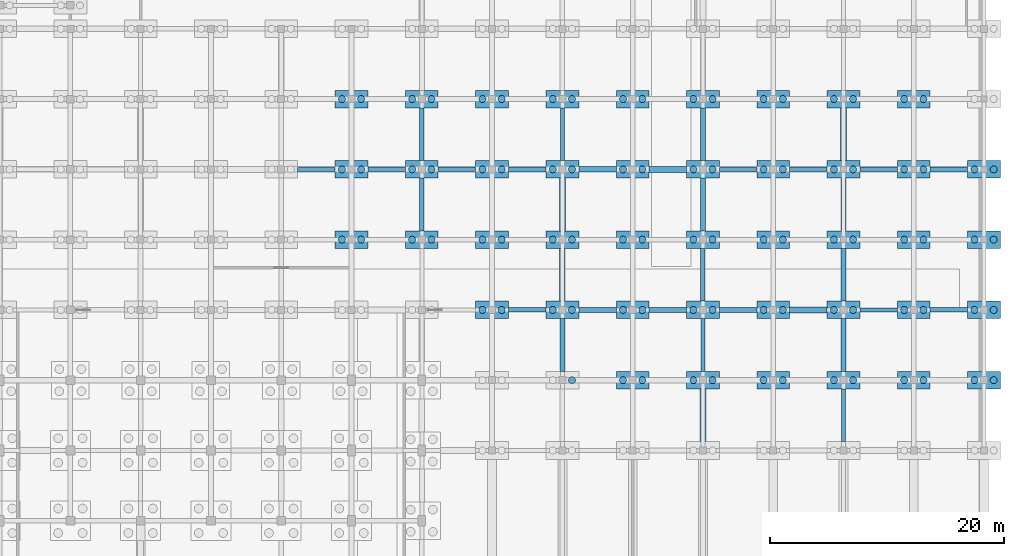
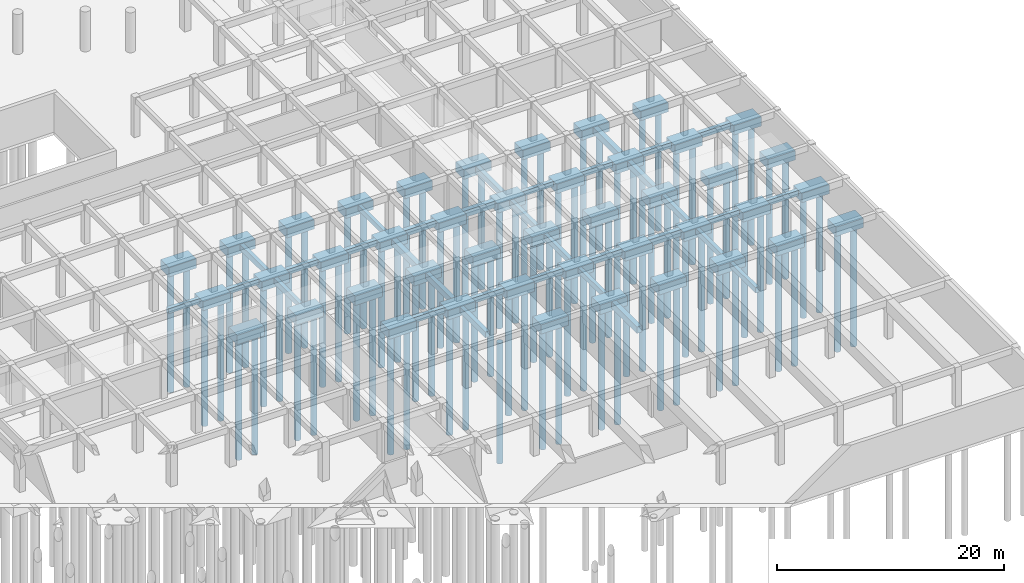
# One storey, part 11 of 41: 87 piles, 76 footings.
"""IFC4 building model written with IfcOpenShell, lengths in metres."""

from ifc_helpers import new_model, si_unit, direction, frame, origin, origin_2d, place, context, subcontext, project, spatial, polyline, rectangle, circle, outline, extrude, material, material_profile, profile_set, type_object, element, save


model = new_model("IFC4")

# Units and contexts
model_context = context("Model", 3, precision=1e-05, world=origin(), true_north=direction((0.0, 1.0)))
body_context = subcontext(model_context, "Body", "Model", "MODEL_VIEW")
ifc_project = project(units=[si_unit("LENGTHUNIT", "METRE"), si_unit("AREAUNIT", "SQUARE_METRE"), si_unit("VOLUMEUNIT", "CUBIC_METRE"), si_unit("PLANEANGLEUNIT", "RADIAN"), si_unit("MASSUNIT", "GRAM", prefix="KILO"), si_unit("POWERUNIT", "WATT"), si_unit("THERMODYNAMICTEMPERATUREUNIT", "KELVIN")], contexts=[model_context])

# Site, building, storey
site_placement = place(None, origin())
site = spatial("IfcSite", under=ifc_project, at=site_placement, CompositionType="ELEMENT")
building_placement = place(site_placement, origin())
building = spatial("IfcBuilding", under=site, at=building_placement, Name="Ruvembo Vaulted Housing Court", CompositionType="ELEMENT")
storey_placement = place(building_placement, frame((0.0, 0.0, -4.5)))
storey = spatial("IfcBuildingStorey", under=building, at=storey_placement, Name="B1", CompositionType="ELEMENT", Elevation=-4.5)

# Footings
ifc_material_1 = material(Name="Concrete C30/37", Category="concrete")
footing_type_1 = type_object("IfcFootingType", Name="GB-350x550", PredefinedType="FOOTING_BEAM", material=ifc_material_1)
footing_1_placement = place(storey_placement, frame((0.0, 0.0, -0.85009765625)))
element("IfcFooting", 1, at=footing_1_placement, inside=storey, type_object=footing_type_1, Name="Ground Tie Beam GB-084", PredefinedType="FOOTING_BEAM", context=body_context, shape_type="SweptSolid", body=[
    extrude(outline(polyline([(175.39990234375, 41.824951171875), (178.60009765625, 41.824951171875), (178.60009765625, 42.175048828125), (175.39990234375, 42.175048828125), (175.39990234375, 41.824951171875)])), origin(), (0.0, 0.0, 1.0), 0.550048828125),
])
footing_2_placement = place(storey_placement, frame((0.0, 0.0, -0.85009765625)))
element("IfcFooting", 2, at=footing_2_placement, inside=storey, type_object=footing_type_1, Name="Ground Tie Beam GB-102", PredefinedType="FOOTING_BEAM", context=body_context, shape_type="SweptSolid", body=[
    extrude(outline(polyline([(127.39990234375, 53.824951171875), (130.60009765625, 53.824951171875), (130.60009765625, 54.175048828125), (127.39990234375, 54.175048828125), (127.39990234375, 53.824951171875)])), origin(), (0.0, 0.0, 1.0), 0.550048828125),
])
footing_3_placement = place(storey_placement, frame((0.0, 0.0, -0.85009765625)))
element("IfcFooting", 3, at=footing_3_placement, inside=storey, type_object=footing_type_1, Name="Ground Tie Beam GB-108", PredefinedType="FOOTING_BEAM", context=body_context, shape_type="SweptSolid", body=[
    extrude(outline(polyline([(163.39990234375, 53.824951171875), (166.60009765625, 53.824951171875), (166.60009765625, 54.175048828125), (163.39990234375, 54.175048828125), (163.39990234375, 53.824951171875)])), origin(), (0.0, 0.0, 1.0), 0.550048828125),
])
footing_4_placement = place(storey_placement, frame((0.0, 0.0, -0.85009765625)))
element("IfcFooting", 4, at=footing_4_placement, inside=storey, type_object=footing_type_1, Name="Ground Tie Beam GB-312", PredefinedType="FOOTING_BEAM", context=body_context, shape_type="SweptSolid", body=[
    extrude(outline(polyline([(149.824951171875, 54.75), (150.175048828125, 54.75), (150.175048828125, 59.25), (149.824951171875, 59.25), (149.824951171875, 54.75)])), origin(), (0.0, 0.0, 1.0), 0.550048828125),
])
footing_5_placement = place(storey_placement, frame((0.0, 0.0, -0.85009765625)))
element("IfcFooting", 5, at=footing_5_placement, inside=storey, type_object=footing_type_1, Name="Ground Tie Beam GB-324", PredefinedType="FOOTING_BEAM", context=body_context, shape_type="SweptSolid", body=[
    extrude(outline(polyline([(161.824951171875, 36.75), (162.175048828125, 36.75), (162.175048828125, 41.25), (161.824951171875, 41.25), (161.824951171875, 36.75)])), origin(), (0.0, 0.0, 1.0), 0.550048828125),
])
footing_type_2 = type_object("IfcFootingType", Name="GB-380x580", PredefinedType="FOOTING_BEAM", material=ifc_material_1)
footing_6_placement = place(storey_placement, frame((0.0, 0.0, -0.8798828125)))
element("IfcFooting", 6, at=footing_6_placement, inside=storey, type_object=footing_type_2, Name="Ground Tie Beam GB-079", PredefinedType="FOOTING_BEAM", context=body_context, shape_type="SweptSolid", body=[
    extrude(outline(polyline([(145.39990234375, 41.81005859375), (148.60009765625, 41.81005859375), (148.60009765625, 42.18994140625), (145.39990234375, 42.18994140625), (145.39990234375, 41.81005859375)])), origin(), (0.0, 0.0, 1.0), 0.579833984375),
])
footing_7_placement = place(storey_placement, frame((0.0, 0.0, -0.8798828125)))
element("IfcFooting", 7, at=footing_7_placement, inside=storey, type_object=footing_type_2, Name="Ground Tie Beam GB-085", PredefinedType="FOOTING_BEAM", context=body_context, shape_type="SweptSolid", body=[
    extrude(outline(polyline([(181.39990234375, 41.81005859375), (184.60009765625, 41.81005859375), (184.60009765625, 42.18994140625), (181.39990234375, 42.18994140625), (181.39990234375, 41.81005859375)])), origin(), (0.0, 0.0, 1.0), 0.579833984375),
])
footing_8_placement = place(storey_placement, frame((0.0, 0.0, -0.8798828125)))
element("IfcFooting", 8, at=footing_8_placement, inside=storey, type_object=footing_type_2, Name="Ground Tie Beam GB-103", PredefinedType="FOOTING_BEAM", context=body_context, shape_type="SweptSolid", body=[
    extrude(outline(polyline([(133.39990234375, 53.81005859375), (136.60009765625, 53.81005859375), (136.60009765625, 54.18994140625), (133.39990234375, 54.18994140625), (133.39990234375, 53.81005859375)])), origin(), (0.0, 0.0, 1.0), 0.579833984375),
])
footing_9_placement = place(storey_placement, frame((0.0, 0.0, -0.8798828125)))
element("IfcFooting", 9, at=footing_9_placement, inside=storey, type_object=footing_type_2, Name="Ground Tie Beam GB-109", PredefinedType="FOOTING_BEAM", context=body_context, shape_type="SweptSolid", body=[
    extrude(outline(polyline([(169.39990234375, 53.81005859375), (172.60009765625, 53.81005859375), (172.60009765625, 54.18994140625), (169.39990234375, 54.18994140625), (169.39990234375, 53.81005859375)])), origin(), (0.0, 0.0, 1.0), 0.579833984375),
])
footing_10_placement = place(storey_placement, frame((0.0, 0.0, -0.8798828125)))
element("IfcFooting", 10, at=footing_10_placement, inside=storey, type_object=footing_type_2, Name="Ground Tie Beam GB-301", PredefinedType="FOOTING_BEAM", context=body_context, shape_type="SweptSolid", body=[
    extrude(outline(polyline([(137.81005859375, 48.75), (138.18994140625, 48.75), (138.18994140625, 53.25), (137.81005859375, 53.25), (137.81005859375, 48.75)])), origin(), (0.0, 0.0, 1.0), 0.579833984375),
])
footing_11_placement = place(storey_placement, frame((0.0, 0.0, -0.8798828125)))
element("IfcFooting", 11, at=footing_11_placement, inside=storey, type_object=footing_type_2, Name="Ground Tie Beam GB-325", PredefinedType="FOOTING_BEAM", context=body_context, shape_type="SweptSolid", body=[
    extrude(outline(polyline([(161.81005859375, 42.75), (162.18994140625, 42.75), (162.18994140625, 47.25), (161.81005859375, 47.25), (161.81005859375, 42.75)])), origin(), (0.0, 0.0, 1.0), 0.579833984375),
])
footing_12_placement = place(storey_placement, frame((0.0, 0.0, -0.8798828125)))
element("IfcFooting", 12, at=footing_12_placement, inside=storey, type_object=footing_type_2, Name="Ground Tie Beam GB-337", PredefinedType="FOOTING_BEAM", context=body_context, shape_type="SweptSolid", body=[
    extrude(outline(polyline([(173.81005859375, 30.75), (174.18994140625, 30.75), (174.18994140625, 35.25), (173.81005859375, 35.25), (173.81005859375, 30.75)])), origin(), (0.0, 0.0, 1.0), 0.579833984375),
])
footing_type_3 = type_object("IfcFootingType", Name="GB-400x600", PredefinedType="FOOTING_BEAM", material=ifc_material_1)
footing_13_placement = place(storey_placement, frame((0.0, 0.0, -0.89990234375)))
element("IfcFooting", 13, at=footing_13_placement, inside=storey, type_object=footing_type_3, Name="Ground Tie Beam GB-080", PredefinedType="FOOTING_BEAM", context=body_context, shape_type="SweptSolid", body=[
    extrude(outline(polyline([(151.39990234375, 41.800048828125), (154.60009765625, 41.800048828125), (154.60009765625, 42.199951171875), (151.39990234375, 42.199951171875), (151.39990234375, 41.800048828125)])), origin(), (0.0, 0.0, 1.0), 0.599853515625),
])
footing_14_placement = place(storey_placement, frame((0.0, 0.0, -0.89990234375)))
element("IfcFooting", 14, at=footing_14_placement, inside=storey, type_object=footing_type_3, Name="Ground Tie Beam GB-104", PredefinedType="FOOTING_BEAM", context=body_context, shape_type="SweptSolid", body=[
    extrude(outline(polyline([(139.39990234375, 53.800048828125), (142.60009765625, 53.800048828125), (142.60009765625, 54.199951171875), (139.39990234375, 54.199951171875), (139.39990234375, 53.800048828125)])), origin(), (0.0, 0.0, 1.0), 0.599853515625),
])
footing_15_placement = place(storey_placement, frame((0.0, 0.0, -0.89990234375)))
element("IfcFooting", 15, at=footing_15_placement, inside=storey, type_object=footing_type_3, Name="Ground Tie Beam GB-110", PredefinedType="FOOTING_BEAM", context=body_context, shape_type="SweptSolid", body=[
    extrude(outline(polyline([(175.39990234375, 53.800048828125), (178.60009765625, 53.800048828125), (178.60009765625, 54.199951171875), (175.39990234375, 54.199951171875), (175.39990234375, 53.800048828125)])), origin(), (0.0, 0.0, 1.0), 0.599853515625),
])
footing_16_placement = place(storey_placement, frame((0.0, 0.0, -0.89990234375)))
element("IfcFooting", 16, at=footing_16_placement, inside=storey, type_object=footing_type_3, Name="Ground Tie Beam GB-302", PredefinedType="FOOTING_BEAM", context=body_context, shape_type="SweptSolid", body=[
    extrude(outline(polyline([(137.800048828125, 54.75), (138.199951171875, 54.75), (138.199951171875, 59.25), (137.800048828125, 59.25), (137.800048828125, 54.75)])), origin(), (0.0, 0.0, 1.0), 0.599853515625),
])
footing_17_placement = place(storey_placement, frame((0.0, 0.0, -0.89990234375)))
element("IfcFooting", 17, at=footing_17_placement, inside=storey, type_object=footing_type_3, Name="Ground Tie Beam GB-326", PredefinedType="FOOTING_BEAM", context=body_context, shape_type="SweptSolid", body=[
    extrude(outline(polyline([(161.800048828125, 48.75), (162.199951171875, 48.75), (162.199951171875, 53.25), (161.800048828125, 53.25), (161.800048828125, 48.75)])), origin(), (0.0, 0.0, 1.0), 0.599853515625),
])
footing_18_placement = place(storey_placement, frame((0.0, 0.0, -0.89990234375)))
element("IfcFooting", 18, at=footing_18_placement, inside=storey, type_object=footing_type_3, Name="Ground Tie Beam GB-338", PredefinedType="FOOTING_BEAM", context=body_context, shape_type="SweptSolid", body=[
    extrude(outline(polyline([(173.800048828125, 36.75), (174.199951171875, 36.75), (174.199951171875, 41.25), (173.800048828125, 41.25), (173.800048828125, 36.75)])), origin(), (0.0, 0.0, 1.0), 0.599853515625),
])
footing_type_4 = type_object("IfcFootingType", Name="GB-420x620", PredefinedType="FOOTING_BEAM", material=ifc_material_1)
footing_19_placement = place(storey_placement, frame((0.0, 0.0, -0.919921875)))
element("IfcFooting", 19, at=footing_19_placement, inside=storey, type_object=footing_type_4, Name="Ground Tie Beam GB-081", PredefinedType="FOOTING_BEAM", context=body_context, shape_type="SweptSolid", body=[
    extrude(outline(polyline([(157.39990234375, 41.7900390625), (160.60009765625, 41.7900390625), (160.60009765625, 42.2099609375), (157.39990234375, 42.2099609375), (157.39990234375, 41.7900390625)])), origin(), (0.0, 0.0, 1.0), 0.619873046875),
])
footing_20_placement = place(storey_placement, frame((0.0, 0.0, -0.919921875)))
element("IfcFooting", 20, at=footing_20_placement, inside=storey, type_object=footing_type_4, Name="Ground Tie Beam GB-105", PredefinedType="FOOTING_BEAM", context=body_context, shape_type="SweptSolid", body=[
    extrude(outline(polyline([(145.39990234375, 53.7900390625), (148.60009765625, 53.7900390625), (148.60009765625, 54.2099609375), (145.39990234375, 54.2099609375), (145.39990234375, 53.7900390625)])), origin(), (0.0, 0.0, 1.0), 0.619873046875),
])
footing_21_placement = place(storey_placement, frame((0.0, 0.0, -0.919921875)))
element("IfcFooting", 21, at=footing_21_placement, inside=storey, type_object=footing_type_4, Name="Ground Tie Beam GB-111", PredefinedType="FOOTING_BEAM", context=body_context, shape_type="SweptSolid", body=[
    extrude(outline(polyline([(181.39990234375, 53.7900390625), (184.60009765625, 53.7900390625), (184.60009765625, 54.2099609375), (181.39990234375, 54.2099609375), (181.39990234375, 53.7900390625)])), origin(), (0.0, 0.0, 1.0), 0.619873046875),
])
footing_22_placement = place(storey_placement, frame((0.0, 0.0, -0.919921875)))
element("IfcFooting", 22, at=footing_22_placement, inside=storey, type_object=footing_type_4, Name="Ground Tie Beam GB-309", PredefinedType="FOOTING_BEAM", context=body_context, shape_type="SweptSolid", body=[
    extrude(outline(polyline([(149.7900390625, 36.75), (150.2099609375, 36.75), (150.2099609375, 41.25), (149.7900390625, 41.25), (149.7900390625, 36.75)])), origin(), (0.0, 0.0, 1.0), 0.619873046875),
])
footing_23_placement = place(storey_placement, frame((0.0, 0.0, -0.919921875)))
element("IfcFooting", 23, at=footing_23_placement, inside=storey, type_object=footing_type_4, Name="Ground Tie Beam GB-327", PredefinedType="FOOTING_BEAM", context=body_context, shape_type="SweptSolid", body=[
    extrude(outline(polyline([(161.7900390625, 54.75), (162.2099609375, 54.75), (162.2099609375, 59.25), (161.7900390625, 59.25), (161.7900390625, 54.75)])), origin(), (0.0, 0.0, 1.0), 0.619873046875),
])
footing_24_placement = place(storey_placement, frame((0.0, 0.0, -0.919921875)))
element("IfcFooting", 24, at=footing_24_placement, inside=storey, type_object=footing_type_4, Name="Ground Tie Beam GB-339", PredefinedType="FOOTING_BEAM", context=body_context, shape_type="SweptSolid", body=[
    extrude(outline(polyline([(173.7900390625, 42.75), (174.2099609375, 42.75), (174.2099609375, 47.25), (173.7900390625, 47.25), (173.7900390625, 42.75)])), origin(), (0.0, 0.0, 1.0), 0.619873046875),
])
footing_type_5 = type_object("IfcFootingType", Name="GB-450x650", PredefinedType="FOOTING_BEAM", material=ifc_material_1)
footing_25_placement = place(storey_placement, frame((0.0, 0.0, -0.949951171875)))
element("IfcFooting", 25, at=footing_25_placement, inside=storey, type_object=footing_type_5, Name="Ground Tie Beam GB-082", PredefinedType="FOOTING_BEAM", context=body_context, shape_type="SweptSolid", body=[
    extrude(outline(polyline([(163.39990234375, 41.77490234375), (166.60009765625, 41.77490234375), (166.60009765625, 42.22509765625), (163.39990234375, 42.22509765625), (163.39990234375, 41.77490234375)])), origin(), (0.0, 0.0, 1.0), 0.64990234375),
])
footing_26_placement = place(storey_placement, frame((0.0, 0.0, -0.949951171875)))
element("IfcFooting", 26, at=footing_26_placement, inside=storey, type_object=footing_type_5, Name="Ground Tie Beam GB-106", PredefinedType="FOOTING_BEAM", context=body_context, shape_type="SweptSolid", body=[
    extrude(outline(polyline([(151.39990234375, 53.77490234375), (154.60009765625, 53.77490234375), (154.60009765625, 54.22509765625), (151.39990234375, 54.22509765625), (151.39990234375, 53.77490234375)])), origin(), (0.0, 0.0, 1.0), 0.64990234375),
])
footing_27_placement = place(storey_placement, frame((0.0, 0.0, -0.949951171875)))
element("IfcFooting", 27, at=footing_27_placement, inside=storey, type_object=footing_type_5, Name="Ground Tie Beam GB-310", PredefinedType="FOOTING_BEAM", context=body_context, shape_type="SweptSolid", body=[
    extrude(outline(polyline([(149.77490234375, 42.75), (150.22509765625, 42.75), (150.22509765625, 47.25), (149.77490234375, 47.25), (149.77490234375, 42.75)])), origin(), (0.0, 0.0, 1.0), 0.64990234375),
])
footing_28_placement = place(storey_placement, frame((0.0, 0.0, -0.949951171875)))
element("IfcFooting", 28, at=footing_28_placement, inside=storey, type_object=footing_type_5, Name="Ground Tie Beam GB-340", PredefinedType="FOOTING_BEAM", context=body_context, shape_type="SweptSolid", body=[
    extrude(outline(polyline([(173.77490234375, 48.75), (174.22509765625, 48.75), (174.22509765625, 53.25), (173.77490234375, 53.25), (173.77490234375, 48.75)])), origin(), (0.0, 0.0, 1.0), 0.64990234375),
])
footing_type_6 = type_object("IfcFootingType", Name="GB-500x700", PredefinedType="FOOTING_BEAM", material=ifc_material_1)
footing_29_placement = place(storey_placement, frame((0.0, 0.0, -1.0)))
element("IfcFooting", 29, at=footing_29_placement, inside=storey, type_object=footing_type_6, Name="Ground Tie Beam GB-083", PredefinedType="FOOTING_BEAM", context=body_context, shape_type="SweptSolid", body=[
    extrude(outline(polyline([(169.39990234375, 41.75), (172.60009765625, 41.75), (172.60009765625, 42.25), (169.39990234375, 42.25), (169.39990234375, 41.75)])), origin(), (0.0, 0.0, 1.0), 0.699951171875),
])
footing_30_placement = place(storey_placement, frame((0.0, 0.0, -1.0)))
element("IfcFooting", 30, at=footing_30_placement, inside=storey, type_object=footing_type_6, Name="Ground Tie Beam GB-107", PredefinedType="FOOTING_BEAM", context=body_context, shape_type="SweptSolid", body=[
    extrude(outline(polyline([(157.39990234375, 53.75), (160.60009765625, 53.75), (160.60009765625, 54.25), (157.39990234375, 54.25), (157.39990234375, 53.75)])), origin(), (0.0, 0.0, 1.0), 0.699951171875),
])
footing_31_placement = place(storey_placement, frame((0.0, 0.0, -1.0)))
element("IfcFooting", 31, at=footing_31_placement, inside=storey, type_object=footing_type_6, Name="Ground Tie Beam GB-311", PredefinedType="FOOTING_BEAM", context=body_context, shape_type="SweptSolid", body=[
    extrude(outline(polyline([(149.75, 48.75), (150.25, 48.75), (150.25, 53.25), (149.75, 53.25), (149.75, 48.75)])), origin(), (0.0, 0.0, 1.0), 0.699951171875),
])
footing_32_placement = place(storey_placement, frame((0.0, 0.0, -1.0)))
element("IfcFooting", 32, at=footing_32_placement, inside=storey, type_object=footing_type_6, Name="Ground Tie Beam GB-323", PredefinedType="FOOTING_BEAM", context=body_context, shape_type="SweptSolid", body=[
    extrude(outline(polyline([(161.75, 30.75), (162.25, 30.75), (162.25, 35.25), (161.75, 35.25), (161.75, 30.75)])), origin(), (0.0, 0.0, 1.0), 0.699951171875),
])
footing_33_placement = place(storey_placement, frame((0.0, 0.0, -1.0)))
element("IfcFooting", 33, at=footing_33_placement, inside=storey, type_object=footing_type_6, Name="Ground Tie Beam GB-341", PredefinedType="FOOTING_BEAM", context=body_context, shape_type="SweptSolid", body=[
    extrude(outline(polyline([(173.75, 54.75), (174.25, 54.75), (174.25, 59.25), (173.75, 59.25), (173.75, 54.75)])), origin(), (0.0, 0.0, 1.0), 0.699951171875),
])
ifc_material_2 = material(Name="Concrete C35/45", Category="concrete")
footing_type_7 = type_object("IfcFootingType", Name="PC-2P-A", PredefinedType="PILE_CAP", material=ifc_material_2)
for number, where, z_axis, x_axis, name in (
    (34, (132.0, 48.0, -1.300048828125), (0.0, 0.0, 1.0), (1.0, 0.0, 0.0), "Pile Cap PC1 #264"),
    (35, (132.0, 54.0, -1.300048828125), (0.0, 0.0, 1.0), (1.0, 0.0, 0.0), "Pile Cap PC1 #265"),
    (36, (132.0, 60.0, -1.300048828125), (0.0, 0.0, 1.0), (1.0, 0.0, 0.0), "Pile Cap PC1 #266"),
    (37, (138.0, 48.0, -1.300048828125), (0.0, 0.0, 1.0), (1.0, 0.0, 0.0), "Pile Cap PC1 #276"),
    (38, (138.0, 54.0, -1.300048828125), (0.0, 0.0, 1.0), (1.0, 0.0, 0.0), "Pile Cap PC1 #277"),
    (39, (138.0, 60.0, -1.300048828125), (0.0, 0.0, 1.0), (1.0, 0.0, 0.0), "Pile Cap PC1 #278"),
    (40, (144.0, 42.0, -1.300048828125), (0.0, 0.0, 1.0), (1.0, 0.0, 0.0), "Pile Cap PC1 #286"),
    (41, (144.0, 48.0, -1.300048828125), (0.0, 0.0, 1.0), (1.0, 0.0, 0.0), "Pile Cap PC1 #287"),
    (42, (144.0, 54.0, -1.300048828125), (0.0, 0.0, 1.0), (1.0, 0.0, 0.0), "Pile Cap PC1 #288"),
    (43, (144.0, 60.0, -1.300048828125), (0.0, 0.0, 1.0), (1.0, 0.0, 0.0), "Pile Cap PC1 #289"),
    (44, (150.0, 42.0, -1.300048828125), (0.0, 0.0, 1.0), (1.0, 0.0, 0.0), "Pile Cap PC1 #297"),
    (45, (150.0, 48.0, -1.300048828125), (0.0, 0.0, 1.0), (1.0, 0.0, 0.0), "Pile Cap PC1 #298"),
    (46, (150.0, 54.0, -1.300048828125), (0.0, 0.0, 1.0), (1.0, 0.0, 0.0), "Pile Cap PC1 #299"),
    (47, (150.0, 60.0, -1.300048828125), (0.0, 0.0, 1.0), (1.0, 0.0, 0.0), "Pile Cap PC1 #300"),
    (48, (156.0, 36.0, -1.300048828125), (0.0, 0.0, 1.0), (1.0, 0.0, 0.0), "Pile Cap PC1 #312"),
    (49, (156.0, 42.0, -1.300048828125), (0.0, 0.0, 1.0), (1.0, 0.0, 0.0), "Pile Cap PC1 #313"),
    (50, (156.0, 48.0, -1.300048828125), (0.0, 0.0, 1.0), (1.0, 0.0, 0.0), "Pile Cap PC1 #314"),
    (51, (156.0, 54.0, -1.300048828125), (0.0, 0.0, 1.0), (1.0, 0.0, 0.0), "Pile Cap PC1 #315"),
    (52, (156.0, 60.0, -1.300048828125), (0.0, 0.0, 1.0), (1.0, 0.0, 0.0), "Pile Cap PC1 #316"),
    (53, (162.0, 36.0, -1.300048828125), (0.0, 0.0, 1.0), (1.0, 0.0, 0.0), "Pile Cap PC1 #326"),
    (54, (162.0, 42.0, -1.300048828125), (0.0, 0.0, 1.0), (1.0, 0.0, 0.0), "Pile Cap PC1 #327"),
    (55, (162.0, 48.0, -1.300048828125), (0.0, 0.0, 1.0), (1.0, 0.0, 0.0), "Pile Cap PC1 #328"),
    (56, (162.0, 54.0, -1.300048828125), (0.0, 0.0, 1.0), (1.0, 0.0, 0.0), "Pile Cap PC1 #329"),
    (57, (162.0, 60.0, -1.300048828125), (0.0, 0.0, 1.0), (1.0, 0.0, 0.0), "Pile Cap PC1 #330"),
    (58, (168.0, 36.0, -1.300048828125), (0.0, 0.0, 1.0), (1.0, 0.0, 0.0), "Pile Cap PC1 #340"),
    (59, (168.0, 42.0, -1.300048828125), (0.0, 0.0, 1.0), (1.0, 0.0, 0.0), "Pile Cap PC1 #341"),
    (60, (168.0, 48.0, -1.300048828125), (0.0, 0.0, 1.0), (1.0, 0.0, 0.0), "Pile Cap PC1 #342"),
    (61, (168.0, 54.0, -1.300048828125), (0.0, 0.0, 1.0), (1.0, 0.0, 0.0), "Pile Cap PC1 #343"),
    (62, (168.0, 60.0, -1.300048828125), (0.0, 0.0, 1.0), (1.0, 0.0, 0.0), "Pile Cap PC1 #344"),
    (63, (174.0, 36.0, -1.300048828125), (0.0, 0.0, 1.0), (1.0, 0.0, 0.0), "Pile Cap PC1 #354"),
    (64, (174.0, 42.0, -1.300048828125), (0.0, 0.0, 1.0), (1.0, 0.0, 0.0), "Pile Cap PC1 #355"),
    (65, (174.0, 48.0, -1.300048828125), (0.0, 0.0, 1.0), (1.0, 0.0, 0.0), "Pile Cap PC1 #356"),
    (66, (174.0, 54.0, -1.300048828125), (0.0, 0.0, 1.0), (1.0, 0.0, 0.0), "Pile Cap PC1 #357"),
    (67, (174.0, 60.0, -1.300048828125), (0.0, 0.0, 1.0), (1.0, 0.0, 0.0), "Pile Cap PC1 #358"),
    (68, (180.0, 36.0, -1.300048828125), (0.0, 0.0, 1.0), (1.0, 0.0, 0.0), "Pile Cap PC1 #368"),
    (69, (180.0, 42.0, -1.300048828125), (0.0, 0.0, 1.0), (1.0, 0.0, 0.0), "Pile Cap PC1 #369"),
    (70, (180.0, 48.0, -1.300048828125), (0.0, 0.0, 1.0), (1.0, 0.0, 0.0), "Pile Cap PC1 #370"),
    (71, (180.0, 54.0, -1.300048828125), (0.0, 0.0, 1.0), (1.0, 0.0, 0.0), "Pile Cap PC1 #371"),
    (72, (180.0, 60.0, -1.300048828125), (0.0, 0.0, 1.0), (1.0, 0.0, 0.0), "Pile Cap PC1 #372"),
    (73, (186.0, 36.0, -1.300048828125), (0.0, 0.0, 1.0), (1.0, 0.0, 0.0), "Pile Cap PC1 #382"),
    (74, (186.0, 42.0, -1.300048828125), (0.0, 0.0, 1.0), (1.0, 0.0, 0.0), "Pile Cap PC1 #383"),
    (75, (186.0, 48.0, -1.300048828125), (0.0, 0.0, 1.0), (1.0, 0.0, 0.0), "Pile Cap PC1 #384"),
    (76, (186.0, 54.0, -1.300048828125), (0.0, 0.0, 1.0), (1.0, 0.0, 0.0), "Pile Cap PC1 #385"),
):
    element("IfcFooting", number, at=place(storey_placement, frame(where, z_axis=z_axis, x_axis=x_axis)), inside=storey, type_object=footing_type_7, Name=name, PredefinedType="PILE_CAP", context=body_context, shape_type="SweptSolid", body=[
        extrude(rectangle(XDim=2.800048828125, YDim=1.5, at=origin_2d()), origin(), (0.0, 0.0, 1.0), 1.0),
    ])

# Piles
ifc_material_profile = material_profile(ifc_material_1, circle(Radius=0.300048828125, at=origin_2d()), Name="PILE D600")
ifc_profile_set = profile_set([ifc_material_profile], Name="Concrete C30/37")
pile_type = type_object("IfcPileType", Name="PILE-BORED-600", PredefinedType="BORED", material=ifc_profile_set)
for number, where, z_axis, x_axis, name in (
    (77, (131.179931640625, 48.0, -1.199951171875), (0.0, 0.0, -1.0), (1.0, 0.0, 0.0), "Bored Pile PILE-0737"),
    (78, (132.820068359375, 48.0, -1.199951171875), (0.0, 0.0, -1.0), (1.0, 0.0, 0.0), "Bored Pile PILE-0738"),
    (79, (131.179931640625, 54.0, -1.199951171875), (0.0, 0.0, -1.0), (1.0, 0.0, 0.0), "Bored Pile PILE-0739"),
    (80, (132.820068359375, 54.0, -1.199951171875), (0.0, 0.0, -1.0), (1.0, 0.0, 0.0), "Bored Pile PILE-0740"),
    (81, (131.179931640625, 60.0, -1.199951171875), (0.0, 0.0, -1.0), (1.0, 0.0, 0.0), "Bored Pile PILE-0741"),
    (82, (132.820068359375, 60.0, -1.199951171875), (0.0, 0.0, -1.0), (1.0, 0.0, 0.0), "Bored Pile PILE-0742"),
    (83, (137.179931640625, 48.0, -1.199951171875), (0.0, 0.0, -1.0), (1.0, 0.0, 0.0), "Bored Pile PILE-0775"),
    (84, (138.820068359375, 48.0, -1.199951171875), (0.0, 0.0, -1.0), (1.0, 0.0, 0.0), "Bored Pile PILE-0776"),
    (85, (137.179931640625, 54.0, -1.199951171875), (0.0, 0.0, -1.0), (1.0, 0.0, 0.0), "Bored Pile PILE-0777"),
    (86, (138.820068359375, 54.0, -1.199951171875), (0.0, 0.0, -1.0), (1.0, 0.0, 0.0), "Bored Pile PILE-0778"),
    (87, (137.179931640625, 60.0, -1.199951171875), (0.0, 0.0, -1.0), (1.0, 0.0, 0.0), "Bored Pile PILE-0779"),
    (88, (138.820068359375, 60.0, -1.199951171875), (0.0, 0.0, -1.0), (1.0, 0.0, 0.0), "Bored Pile PILE-0780"),
    (89, (143.179931640625, 42.0, -1.199951171875), (0.0, 0.0, -1.0), (1.0, 0.0, 0.0), "Bored Pile PILE-0795"),
    (90, (144.820068359375, 42.0, -1.199951171875), (0.0, 0.0, -1.0), (1.0, 0.0, 0.0), "Bored Pile PILE-0796"),
    (91, (143.179931640625, 48.0, -1.199951171875), (0.0, 0.0, -1.0), (1.0, 0.0, 0.0), "Bored Pile PILE-0797"),
    (92, (144.820068359375, 48.0, -1.199951171875), (0.0, 0.0, -1.0), (1.0, 0.0, 0.0), "Bored Pile PILE-0798"),
    (93, (143.179931640625, 54.0, -1.199951171875), (0.0, 0.0, -1.0), (1.0, 0.0, 0.0), "Bored Pile PILE-0799"),
    (94, (144.820068359375, 54.0, -1.199951171875), (0.0, 0.0, -1.0), (1.0, 0.0, 0.0), "Bored Pile PILE-0800"),
    (95, (143.179931640625, 60.0, -1.199951171875), (0.0, 0.0, -1.0), (1.0, 0.0, 0.0), "Bored Pile PILE-0801"),
    (96, (144.820068359375, 60.0, -1.199951171875), (0.0, 0.0, -1.0), (1.0, 0.0, 0.0), "Bored Pile PILE-0802"),
    (97, (150.820068359375, 36.0, -1.199951171875), (0.0, 0.0, -1.0), (1.0, 0.0, 0.0), "Bored Pile PILE-0816"),
    (98, (149.179931640625, 42.0, -1.199951171875), (0.0, 0.0, -1.0), (1.0, 0.0, 0.0), "Bored Pile PILE-0817"),
    (99, (150.820068359375, 42.0, -1.199951171875), (0.0, 0.0, -1.0), (1.0, 0.0, 0.0), "Bored Pile PILE-0818"),
    (100, (149.179931640625, 48.0, -1.199951171875), (0.0, 0.0, -1.0), (1.0, 0.0, 0.0), "Bored Pile PILE-0819"),
    (101, (150.820068359375, 48.0, -1.199951171875), (0.0, 0.0, -1.0), (1.0, 0.0, 0.0), "Bored Pile PILE-0820"),
    (102, (149.179931640625, 54.0, -1.199951171875), (0.0, 0.0, -1.0), (1.0, 0.0, 0.0), "Bored Pile PILE-0821"),
    (103, (150.820068359375, 54.0, -1.199951171875), (0.0, 0.0, -1.0), (1.0, 0.0, 0.0), "Bored Pile PILE-0822"),
    (104, (149.179931640625, 60.0, -1.199951171875), (0.0, 0.0, -1.0), (1.0, 0.0, 0.0), "Bored Pile PILE-0823"),
    (105, (150.820068359375, 60.0, -1.199951171875), (0.0, 0.0, -1.0), (1.0, 0.0, 0.0), "Bored Pile PILE-0824"),
    (106, (155.179931640625, 36.0, -1.199951171875), (0.0, 0.0, -1.0), (1.0, 0.0, 0.0), "Bored Pile PILE-0847"),
    (107, (156.820068359375, 36.0, -1.199951171875), (0.0, 0.0, -1.0), (1.0, 0.0, 0.0), "Bored Pile PILE-0848"),
    (108, (155.179931640625, 42.0, -1.199951171875), (0.0, 0.0, -1.0), (1.0, 0.0, 0.0), "Bored Pile PILE-0849"),
    (109, (156.820068359375, 42.0, -1.199951171875), (0.0, 0.0, -1.0), (1.0, 0.0, 0.0), "Bored Pile PILE-0850"),
    (110, (155.179931640625, 48.0, -1.199951171875), (0.0, 0.0, -1.0), (1.0, 0.0, 0.0), "Bored Pile PILE-0851"),
    (111, (156.820068359375, 48.0, -1.199951171875), (0.0, 0.0, -1.0), (1.0, 0.0, 0.0), "Bored Pile PILE-0852"),
    (112, (155.179931640625, 54.0, -1.199951171875), (0.0, 0.0, -1.0), (1.0, 0.0, 0.0), "Bored Pile PILE-0853"),
    (113, (156.820068359375, 54.0, -1.199951171875), (0.0, 0.0, -1.0), (1.0, 0.0, 0.0), "Bored Pile PILE-0854"),
    (114, (155.179931640625, 60.0, -1.199951171875), (0.0, 0.0, -1.0), (1.0, 0.0, 0.0), "Bored Pile PILE-0855"),
    (115, (156.820068359375, 60.0, -1.199951171875), (0.0, 0.0, -1.0), (1.0, 0.0, 0.0), "Bored Pile PILE-0856"),
    (116, (161.179931640625, 36.0, -1.199951171875), (0.0, 0.0, -1.0), (1.0, 0.0, 0.0), "Bored Pile PILE-0883"),
    (117, (162.820068359375, 36.0, -1.199951171875), (0.0, 0.0, -1.0), (1.0, 0.0, 0.0), "Bored Pile PILE-0884"),
    (118, (161.179931640625, 42.0, -1.199951171875), (0.0, 0.0, -1.0), (1.0, 0.0, 0.0), "Bored Pile PILE-0885"),
    (119, (162.820068359375, 42.0, -1.199951171875), (0.0, 0.0, -1.0), (1.0, 0.0, 0.0), "Bored Pile PILE-0886"),
    (120, (161.179931640625, 48.0, -1.199951171875), (0.0, 0.0, -1.0), (1.0, 0.0, 0.0), "Bored Pile PILE-0887"),
    (121, (162.820068359375, 48.0, -1.199951171875), (0.0, 0.0, -1.0), (1.0, 0.0, 0.0), "Bored Pile PILE-0888"),
    (122, (161.179931640625, 54.0, -1.199951171875), (0.0, 0.0, -1.0), (1.0, 0.0, 0.0), "Bored Pile PILE-0889"),
    (123, (162.820068359375, 54.0, -1.199951171875), (0.0, 0.0, -1.0), (1.0, 0.0, 0.0), "Bored Pile PILE-0890"),
    (124, (161.179931640625, 60.0, -1.199951171875), (0.0, 0.0, -1.0), (1.0, 0.0, 0.0), "Bored Pile PILE-0891"),
    (125, (162.820068359375, 60.0, -1.199951171875), (0.0, 0.0, -1.0), (1.0, 0.0, 0.0), "Bored Pile PILE-0892"),
    (126, (167.179931640625, 36.0, -1.199951171875), (0.0, 0.0, -1.0), (1.0, 0.0, 0.0), "Bored Pile PILE-0919"),
    (127, (168.820068359375, 36.0, -1.199951171875), (0.0, 0.0, -1.0), (1.0, 0.0, 0.0), "Bored Pile PILE-0920"),
    (128, (167.179931640625, 42.0, -1.199951171875), (0.0, 0.0, -1.0), (1.0, 0.0, 0.0), "Bored Pile PILE-0921"),
    (129, (168.820068359375, 42.0, -1.199951171875), (0.0, 0.0, -1.0), (1.0, 0.0, 0.0), "Bored Pile PILE-0922"),
    (130, (167.179931640625, 48.0, -1.199951171875), (0.0, 0.0, -1.0), (1.0, 0.0, 0.0), "Bored Pile PILE-0923"),
    (131, (168.820068359375, 48.0, -1.199951171875), (0.0, 0.0, -1.0), (1.0, 0.0, 0.0), "Bored Pile PILE-0924"),
    (132, (167.179931640625, 54.0, -1.199951171875), (0.0, 0.0, -1.0), (1.0, 0.0, 0.0), "Bored Pile PILE-0925"),
    (133, (168.820068359375, 54.0, -1.199951171875), (0.0, 0.0, -1.0), (1.0, 0.0, 0.0), "Bored Pile PILE-0926"),
    (134, (167.179931640625, 60.0, -1.199951171875), (0.0, 0.0, -1.0), (1.0, 0.0, 0.0), "Bored Pile PILE-0927"),
    (135, (168.820068359375, 60.0, -1.199951171875), (0.0, 0.0, -1.0), (1.0, 0.0, 0.0), "Bored Pile PILE-0928"),
    (136, (173.179931640625, 36.0, -1.199951171875), (0.0, 0.0, -1.0), (1.0, 0.0, 0.0), "Bored Pile PILE-0955"),
    (137, (174.820068359375, 36.0, -1.199951171875), (0.0, 0.0, -1.0), (1.0, 0.0, 0.0), "Bored Pile PILE-0956"),
    (138, (173.179931640625, 42.0, -1.199951171875), (0.0, 0.0, -1.0), (1.0, 0.0, 0.0), "Bored Pile PILE-0957"),
    (139, (174.820068359375, 42.0, -1.199951171875), (0.0, 0.0, -1.0), (1.0, 0.0, 0.0), "Bored Pile PILE-0958"),
    (140, (173.179931640625, 48.0, -1.199951171875), (0.0, 0.0, -1.0), (1.0, 0.0, 0.0), "Bored Pile PILE-0959"),
    (141, (174.820068359375, 48.0, -1.199951171875), (0.0, 0.0, -1.0), (1.0, 0.0, 0.0), "Bored Pile PILE-0960"),
    (142, (173.179931640625, 54.0, -1.199951171875), (0.0, 0.0, -1.0), (1.0, 0.0, 0.0), "Bored Pile PILE-0961"),
    (143, (174.820068359375, 54.0, -1.199951171875), (0.0, 0.0, -1.0), (1.0, 0.0, 0.0), "Bored Pile PILE-0962"),
    (144, (173.179931640625, 60.0, -1.199951171875), (0.0, 0.0, -1.0), (1.0, 0.0, 0.0), "Bored Pile PILE-0963"),
    (145, (174.820068359375, 60.0, -1.199951171875), (0.0, 0.0, -1.0), (1.0, 0.0, 0.0), "Bored Pile PILE-0964"),
    (146, (179.179931640625, 36.0, -1.199951171875), (0.0, 0.0, -1.0), (1.0, 0.0, 0.0), "Bored Pile PILE-0991"),
    (147, (180.820068359375, 36.0, -1.199951171875), (0.0, 0.0, -1.0), (1.0, 0.0, 0.0), "Bored Pile PILE-0992"),
    (148, (179.179931640625, 42.0, -1.199951171875), (0.0, 0.0, -1.0), (1.0, 0.0, 0.0), "Bored Pile PILE-0993"),
    (149, (180.820068359375, 42.0, -1.199951171875), (0.0, 0.0, -1.0), (1.0, 0.0, 0.0), "Bored Pile PILE-0994"),
    (150, (179.179931640625, 48.0, -1.199951171875), (0.0, 0.0, -1.0), (1.0, 0.0, 0.0), "Bored Pile PILE-0995"),
    (151, (180.820068359375, 48.0, -1.199951171875), (0.0, 0.0, -1.0), (1.0, 0.0, 0.0), "Bored Pile PILE-0996"),
    (152, (179.179931640625, 54.0, -1.199951171875), (0.0, 0.0, -1.0), (1.0, 0.0, 0.0), "Bored Pile PILE-0997"),
    (153, (180.820068359375, 54.0, -1.199951171875), (0.0, 0.0, -1.0), (1.0, 0.0, 0.0), "Bored Pile PILE-0998"),
    (154, (179.179931640625, 60.0, -1.199951171875), (0.0, 0.0, -1.0), (1.0, 0.0, 0.0), "Bored Pile PILE-0999"),
    (155, (180.820068359375, 60.0, -1.199951171875), (0.0, 0.0, -1.0), (1.0, 0.0, 0.0), "Bored Pile PILE-1000"),
    (156, (185.179931640625, 36.0, -1.199951171875), (0.0, 0.0, -1.0), (1.0, 0.0, 0.0), "Bored Pile PILE-1027"),
    (157, (186.820068359375, 36.0, -1.199951171875), (0.0, 0.0, -1.0), (1.0, 0.0, 0.0), "Bored Pile PILE-1028"),
    (158, (185.179931640625, 42.0, -1.199951171875), (0.0, 0.0, -1.0), (1.0, 0.0, 0.0), "Bored Pile PILE-1029"),
    (159, (186.820068359375, 42.0, -1.199951171875), (0.0, 0.0, -1.0), (1.0, 0.0, 0.0), "Bored Pile PILE-1030"),
    (160, (185.179931640625, 48.0, -1.199951171875), (0.0, 0.0, -1.0), (1.0, 0.0, 0.0), "Bored Pile PILE-1031"),
    (161, (186.820068359375, 48.0, -1.199951171875), (0.0, 0.0, -1.0), (1.0, 0.0, 0.0), "Bored Pile PILE-1032"),
    (162, (185.179931640625, 54.0, -1.199951171875), (0.0, 0.0, -1.0), (1.0, 0.0, 0.0), "Bored Pile PILE-1033"),
    (163, (186.820068359375, 54.0, -1.199951171875), (0.0, 0.0, -1.0), (1.0, 0.0, 0.0), "Bored Pile PILE-1034"),
):
    element("IfcPile", number, at=place(storey_placement, frame(where, z_axis=z_axis, x_axis=x_axis)), inside=storey, type_object=pile_type, Name=name, PredefinedType="BORED", context=body_context, shape_type="SweptSolid", body=[
        extrude(circle(Radius=0.300048828125, at=origin_2d()), origin(), (0.0, 0.0, 1.0), 13.0),
    ])

save(model, "model.ifc")
